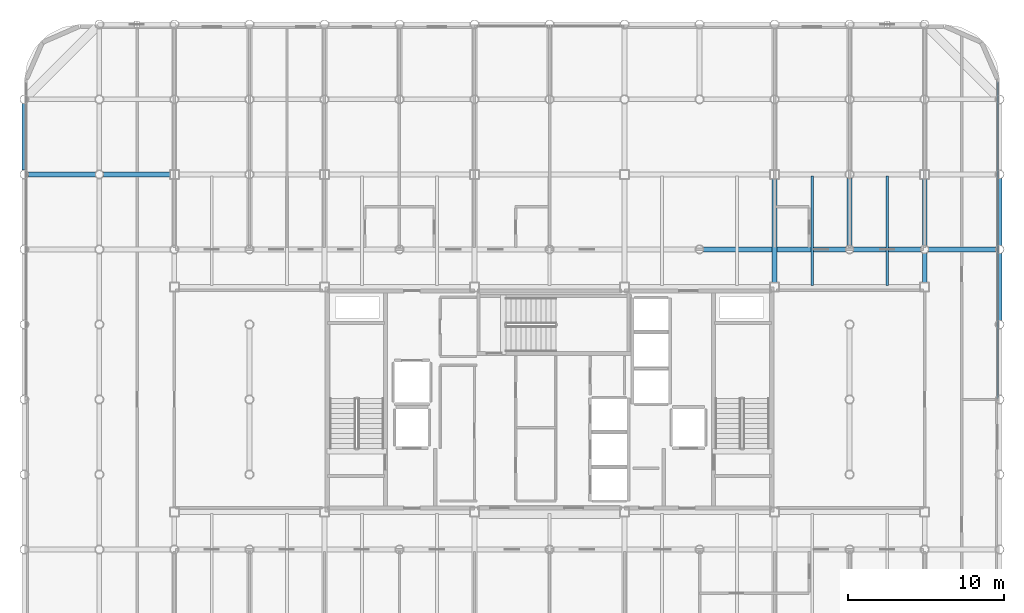
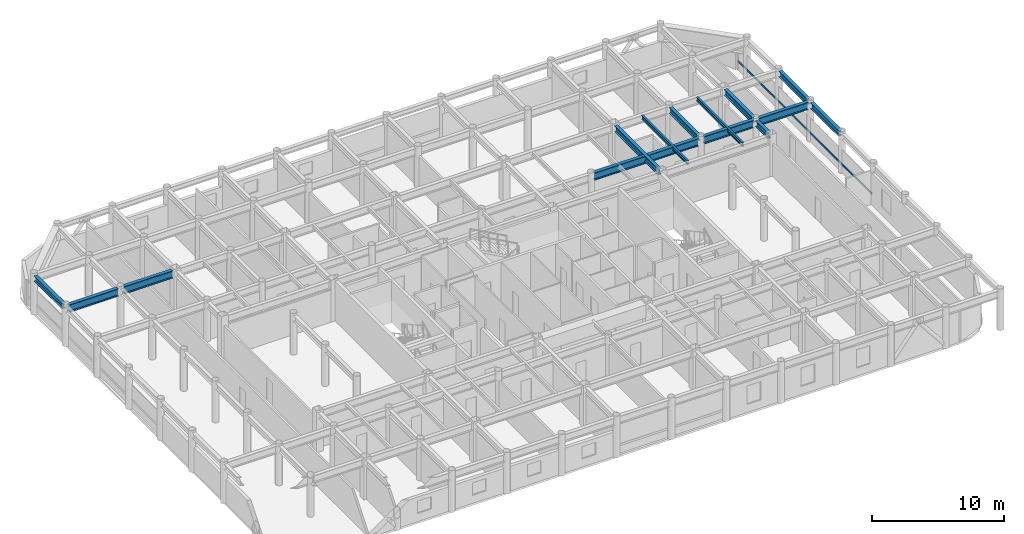
# One storey, part 11 of 22: 14 beams, 1 member, 1 element without a shape of its own.
"""IFC4 building model written with IfcOpenShell, lengths in metres."""

import ifcopenshell
import ifcopenshell.guid

model = None  # the IFC model being written
_history = None  # IfcOwnerHistory: only IFC2X3 demands one
_inside = {}  # id of a spatial element -> (the spatial element, [elements in it])
_under = {}  # id of a project, library or spatial element -> (it, [spatial elements below it])
_declared = {}  # id of a project -> (the project, [libraries it declares])
_typed = {}  # id of a type object -> (the type object, [elements of that type])
_made_of = {}  # id of a material, layer set ... -> (it, [elements and type objects made of it])


def new_model(schema):
    """Start an empty IFC model of exactly this schema.

    Asked for "IFC4X3", IfcOpenShell would pick the latest addendum, in which some entities
    have other attributes; the version numbers below select the first issue.
    IFC2X3 requires an IfcOwnerHistory on every rooted entity: one is made here for all.
    """
    global model, _history
    if schema == "IFC4X3":
        model = ifcopenshell.file(schema_version=(4, 3, 0, 0))
    else:
        model = ifcopenshell.file(schema=schema)
    _inside.clear()
    _under.clear()
    _declared.clear()
    _typed.clear()
    _made_of.clear()
    _history = None
    if model.schema == "IFC2X3":
        org = make("IfcOrganization", Name="unknown")
        user = make(
            "IfcPersonAndOrganization",
            ThePerson=make("IfcPerson", FamilyName="unknown"),
            TheOrganization=org,
        )
        app = make(
            "IfcApplication",
            ApplicationDeveloper=org,
            Version="unknown",
            ApplicationFullName="unknown",
            ApplicationIdentifier="unknown",
        )
        _history = make(
            "IfcOwnerHistory",
            OwningUser=user,
            OwningApplication=app,
            ChangeAction="ADDED",
            CreationDate=0,
        )
    return model


def make(cls, **values):
    """One entity of the class cls with the attributes given. An attribute that is None is left unset."""
    return model.create_entity(
        cls, **{name: value for name, value in values.items() if value is not None}
    )


def rooted(cls, **values):
    """An entity with a GlobalId (a new one), such as an element, a storey or a relation."""
    return make(cls, GlobalId=ifcopenshell.guid.new(), OwnerHistory=_history, **values)


def si_unit(unit_type, name, prefix=None):
    """IfcSIUnit, for example si_unit("LENGTHUNIT", "METRE", prefix="MILLI")."""
    return make("IfcSIUnit", UnitType=unit_type, Prefix=prefix, Name=name)


def assignment(units):
    """IfcUnitAssignment: the units of a project."""
    return None if units is None else make("IfcUnitAssignment", Units=units)


def point(xyz):
    """IfcCartesianPoint."""
    return None if xyz is None else make("IfcCartesianPoint", Coordinates=xyz)


def direction(xyz):
    """IfcDirection."""
    return None if xyz is None else make("IfcDirection", DirectionRatios=xyz)


def frame(location, z_axis=None, x_axis=None):
    """IfcAxis2Placement3D, a coordinate frame: its origin and axes. An axis left out is left unset."""
    return make(
        "IfcAxis2Placement3D",
        Location=point(location),
        Axis=direction(z_axis),
        RefDirection=direction(x_axis),
    )


def frame_2d(location, x_axis=None):
    """IfcAxis2Placement2D, a coordinate frame in the plane: its origin and x axis."""
    return make(
        "IfcAxis2Placement2D", Location=point(location), RefDirection=direction(x_axis)
    )


def origin():
    """The frame at (0, 0, 0) with its axes left unset."""
    return frame((0.0, 0.0, 0.0))


def origin_2d():
    """The frame at (0, 0) in the plane with its x axis left unset."""
    return frame_2d((0.0, 0.0))


def place(relative_to, where):
    """IfcLocalPlacement: puts the frame where relative to a parent placement (None: the world)."""
    return make(
        "IfcLocalPlacement", PlacementRelTo=relative_to, RelativePlacement=where
    )


def context(
    kind, dimensions, precision=None, world=None, true_north=None, identifier=None
):
    """IfcGeometricRepresentationContext, for example the 3D "Model" context."""
    return make(
        "IfcGeometricRepresentationContext",
        ContextIdentifier=identifier,
        ContextType=kind,
        CoordinateSpaceDimension=dimensions,
        Precision=precision,
        WorldCoordinateSystem=world,
        TrueNorth=true_north,
    )


def subcontext(parent, identifier, kind, view, scale=None):
    """IfcGeometricRepresentationSubContext, for example "Body" below "Model"."""
    return make(
        "IfcGeometricRepresentationSubContext",
        ContextIdentifier=identifier,
        ContextType=kind,
        ParentContext=parent,
        TargetScale=scale,
        TargetView=view,
    )


def project(units=None, contexts=None):
    """IfcProject with its units and contexts."""
    return rooted(
        "IfcProject",
        Name="project",
        RepresentationContexts=contexts,
        UnitsInContext=assignment(units),
    )


def spatial(cls, under=None, at=None, **own):
    """A site, building, storey or space (cls), placed at a placement, below another one or the project."""
    s = rooted(cls, ObjectPlacement=at, **own)
    if under is not None:
        _under.setdefault(under.id(), (under, []))[1].append(s)
    return s


def profile(cls, at=None, kind="AREA", **sizes):
    """A parametric profile (cls). Its sizes go by their IFC names, for example OverallWidth=200.0."""
    return make(cls, ProfileType=kind, Position=at, **sizes)


def hollow_rectangle(**sizes):
    """IfcRectangleHollowProfileDef."""
    return profile("IfcRectangleHollowProfileDef", **sizes)


def i_section(**sizes):
    """IfcIShapeProfileDef."""
    return profile("IfcIShapeProfileDef", **sizes)


def extrude(swept, where, along, depth):
    """IfcExtrudedAreaSolid: the profile swept, set in the frame where, extruded along a direction by depth."""
    return make(
        "IfcExtrudedAreaSolid",
        SweptArea=swept,
        Position=where,
        ExtrudedDirection=direction(along),
        Depth=depth,
    )


def shape(context_of_items, identifier, shape_type, items):
    """IfcShapeRepresentation: the items that make up one representation, for example the "Body"."""
    return make(
        "IfcShapeRepresentation",
        ContextOfItems=context_of_items,
        RepresentationIdentifier=identifier,
        RepresentationType=shape_type,
        Items=items,
    )


def material(Name=None, Category=None):
    """IfcMaterial."""
    return make("IfcMaterial", Name=Name, Category=Category)


def layer(
    of_material, thickness, ventilated=None, Name=None, Category=None, Priority=None
):
    """IfcMaterialLayer: one layer of a wall or slab, of a material (None: an air gap)."""
    return make(
        "IfcMaterialLayer",
        Material=of_material,
        LayerThickness=thickness,
        IsVentilated=ventilated,
        Name=Name,
        Category=Category,
        Priority=Priority,
    )


def layer_set(layers, Name=None):
    """IfcMaterialLayerSet."""
    return make("IfcMaterialLayerSet", MaterialLayers=layers, LayerSetName=Name)


def material_profile(
    of_material, cross_section, Name=None, Category=None, Priority=None
):
    """IfcMaterialProfile: a cross section and its material."""
    return make(
        "IfcMaterialProfile",
        Name=Name,
        Material=of_material,
        Profile=cross_section,
        Priority=Priority,
        Category=Category,
    )


def profile_set(profiles, Name=None, composite=None):
    """IfcMaterialProfileSet."""
    return make(
        "IfcMaterialProfileSet",
        Name=Name,
        MaterialProfiles=profiles,
        CompositeProfile=composite,
    )


def made_of(thing, what):
    """Note that an element or type object is made of a material, layer set ...; save() writes the relation."""
    if what is not None:
        _made_of.setdefault(what.id(), (what, []))[1].append(thing)
    return thing


def type_object(cls, material=None, **own):
    """A type object (cls), such as IfcWallType, which elements share."""
    return made_of(rooted(cls, **own), material)


def element(
    cls,
    number,
    at=None,
    inside=None,
    cuts=None,
    type_object=None,
    material=None,
    context=None,
    identifier="Body",
    shape_type=None,
    held_by="IfcProductDefinitionShape",
    body=None,
    shapes=None,
    **own,
):
    """One element of the class cls, such as IfcWall. Its Tag is "e" and its number.

    at: its placement. inside: the storey or other place that contains it. cuts: it is an
    opening in that element (IfcRelVoidsElement). A single representation is given by context,
    identifier, shape_type and body (its items); several are given by shapes. held_by: the class
    of the entity that holds the representations. save() writes the other relations.
    """
    e = rooted(cls, Tag="e%d" % number, ObjectPlacement=at, **own)
    if body is not None:
        shapes = [shape(context, identifier, shape_type, body)]
    if shapes is not None:
        e.Representation = make(held_by, Representations=shapes)
    if inside is not None:
        _inside.setdefault(inside.id(), (inside, []))[1].append(e)
    if cuts is not None:
        rooted(
            "IfcRelVoidsElement", RelatingBuildingElement=cuts, RelatedOpeningElement=e
        )
    if type_object is not None:
        _typed.setdefault(type_object.id(), (type_object, []))[1].append(e)
    return made_of(e, material)


def aggregate(whole, parts):
    """IfcRelAggregates: a whole, such as a stair, and the parts it consists of."""
    return rooted("IfcRelAggregates", RelatingObject=whole, RelatedObjects=parts)


def save(model, path):
    """Write the relations noted so far, then the file.

    IfcRelAggregates (storeys below a building ...), IfcRelContainedInSpatialStructure (elements
    in a storey), IfcRelDefinesByType, IfcRelAssociatesMaterial and IfcRelDeclares: one each for
    every whole, place, type object, material and project.
    """
    for whole, parts in _under.values():
        aggregate(whole, parts)
    for where, things in _inside.values():
        rooted(
            "IfcRelContainedInSpatialStructure",
            RelatedElements=things,
            RelatingStructure=where,
        )
    for kind, things in _typed.values():
        rooted("IfcRelDefinesByType", RelatedObjects=things, RelatingType=kind)
    for what, things in _made_of.values():
        rooted("IfcRelAssociatesMaterial", RelatedObjects=things, RelatingMaterial=what)
    for by, libraries in _declared.values():
        rooted("IfcRelDeclares", RelatingContext=by, RelatedDefinitions=libraries)
    model.write(path)


model = new_model("IFC4")

# Units and contexts
model_context = context("Model", 3, precision=1e-05, world=origin(), true_north=direction((0.0, 1.0)))
body_context = subcontext(model_context, "Body", "Model", "MODEL_VIEW")
ifc_project = project(units=[si_unit("LENGTHUNIT", "METRE"), si_unit("AREAUNIT", "SQUARE_METRE"), si_unit("VOLUMEUNIT", "CUBIC_METRE"), si_unit("PLANEANGLEUNIT", "RADIAN"), si_unit("MASSUNIT", "GRAM", prefix="KILO")], contexts=[model_context])

# Site, building, storey
site_placement = place(None, origin())
site = spatial("IfcSite", under=ifc_project, at=site_placement, CompositionType="ELEMENT")
building_placement = place(site_placement, origin())
building = spatial("IfcBuilding", under=site, at=building_placement, Name="Kallvorn Hotel Tower", CompositionType="ELEMENT")
storey_placement = place(building_placement, frame((0.0, 0.0, 256.949951171875)))
storey = spatial("IfcBuildingStorey", under=building, at=storey_placement, Name="L64", CompositionType="ELEMENT", Elevation=256.949951171875)

# Beams
ifc_material_1 = material(Name="Structural steel S355JR", Category="steel")
ifc_material_profile_1 = material_profile(ifc_material_1, i_section(OverallWidth=0.300048828125, OverallDepth=0.5, WebThickness=0.014404296875, FlangeThickness=0.028076171875, at=origin_2d()), Name="HE 500 B")
ifc_profile_set_1 = profile_set([ifc_material_profile_1], Name="Structural steel S355JR")
beam_type_1 = type_object("IfcBeamType", Name="BM_HE500B", PredefinedType="SPANDREL", material=ifc_profile_set_1)
beam_1_placement = place(storey_placement, frame((-33.60009765625, 14.66943359375, 3.420166015625), z_axis=(0.0, 1.0, 0.0), x_axis=(-1.0, 0.0, 0.0)))
element("IfcBeam", 1, at=beam_1_placement, inside=storey, type_object=beam_type_1, Name="L65 Perimeter Spandrel 180", PredefinedType="SPANDREL", context=body_context, shape_type="SweptSolid", body=[
    extrude(i_section(OverallWidth=0.300048828125, OverallDepth=0.5, WebThickness=0.014404296875, FlangeThickness=0.028076171875, at=origin_2d()), origin(), (0.0, 0.0, 1.0), 4.260986328125),
])
ifc_material_2 = material(Name="Structural steel S355JR", Category="steel")
ifc_material_profile_2 = material_profile(ifc_material_2, i_section(OverallWidth=0.300048828125, OverallDepth=0.550048828125, WebThickness=0.014892578125, FlangeThickness=0.029052734375, at=origin_2d()), Name="HE 550 B")
ifc_profile_set_2 = profile_set([ifc_material_profile_2], Name="Structural steel S355JR")
beam_type_2 = type_object("IfcBeamType", Name="BM_HE550B", PredefinedType="SPANDREL", material=ifc_profile_set_2)
beam_2_placement = place(storey_placement, frame((14.39990234375, 7.47509765625, 3.39501953125), z_axis=(0.0, 1.0, 0.0), x_axis=(-1.0, 0.0, 0.0)))
element("IfcBeam", 2, at=beam_2_placement, inside=storey, type_object=beam_type_2, Name="L65 Primary Y-Girder 124", PredefinedType="SPANDREL", context=body_context, shape_type="SweptSolid", body=[
    extrude(i_section(OverallWidth=0.300048828125, OverallDepth=0.550048828125, WebThickness=0.014892578125, FlangeThickness=0.029052734375, at=origin_2d()), origin(), (0.0, 0.0, 1.0), 6.64990234375),
])
beam_3_placement = place(storey_placement, frame((19.199951171875, 9.8544921875, 3.39501953125), z_axis=(0.0, 1.0, 0.0), x_axis=(-1.0, 0.0, 0.0)))
element("IfcBeam", 3, at=beam_3_placement, inside=storey, type_object=beam_type_2, Name="L65 Primary Y-Girder 133", PredefinedType="SPANDREL", context=body_context, shape_type="SweptSolid", body=[
    extrude(i_section(OverallWidth=0.300048828125, OverallDepth=0.550048828125, WebThickness=0.014892578125, FlangeThickness=0.029052734375, at=origin_2d()), origin(), (0.0, 0.0, 1.0), 4.291015625),
])
beam_4_placement = place(storey_placement, frame((24.0, 7.47509765625, 3.39501953125), z_axis=(0.0, 1.0, 0.0), x_axis=(-1.0, 0.0, 0.0)))
element("IfcBeam", 4, at=beam_4_placement, inside=storey, type_object=beam_type_2, Name="L65 Primary Y-Girder 139", PredefinedType="SPANDREL", context=body_context, shape_type="SweptSolid", body=[
    extrude(i_section(OverallWidth=0.300048828125, OverallDepth=0.550048828125, WebThickness=0.014892578125, FlangeThickness=0.029052734375, at=origin_2d()), origin(), (0.0, 0.0, 1.0), 1.870361328125),
])
beam_5_placement = place(storey_placement, frame((24.0, 9.8544921875, 3.39501953125), z_axis=(0.0, 1.0, 0.0), x_axis=(-1.0, 0.0, 0.0)))
element("IfcBeam", 5, at=beam_5_placement, inside=storey, type_object=beam_type_2, Name="L65 Primary Y-Girder 140", PredefinedType="SPANDREL", context=body_context, shape_type="SweptSolid", body=[
    extrude(i_section(OverallWidth=0.300048828125, OverallDepth=0.550048828125, WebThickness=0.014892578125, FlangeThickness=0.029052734375, at=origin_2d()), origin(), (0.0, 0.0, 1.0), 4.2705078125),
])
for number, where, z_axis, x_axis, name in (
    (6, (28.800048828125, 5.054443359375, 3.39501953125), (0.0, 1.0, 0.0), (-1.0, 0.0, 0.0), "L65 Primary Y-Girder 148"),
    (7, (28.800048828125, 9.8544921875, 3.39501953125), (0.0, 1.0, 0.0), (-1.0, 0.0, 0.0), "L65 Primary Y-Girder 149"),
):
    element("IfcBeam", number, at=place(storey_placement, frame(where, z_axis=z_axis, x_axis=x_axis)), inside=storey, type_object=beam_type_2, Name=name, PredefinedType="SPANDREL", context=body_context, shape_type="SweptSolid", body=[
        extrude(i_section(OverallWidth=0.300048828125, OverallDepth=0.550048828125, WebThickness=0.014892578125, FlangeThickness=0.029052734375, at=origin_2d()), origin(), (0.0, 0.0, 1.0), 4.291015625),
    ])
ifc_material_3 = material(Name="Structural steel S355JR", Category="steel")
ifc_material_profile_3 = material_profile(ifc_material_3, i_section(OverallWidth=0.300048828125, OverallDepth=0.699951171875, WebThickness=0.01708984375, FlangeThickness=0.031982421875, at=origin_2d()), Name="HE 700 B")
ifc_profile_set_3 = profile_set([ifc_material_profile_3], Name="Structural steel S355JR")
beam_type_3 = type_object("IfcBeamType", Name="BM_HE700B", PredefinedType="BEAM", material=ifc_profile_set_3)
beam_6_placement = place(storey_placement, frame((9.8544921875, 9.60009765625, 3.320068359375), z_axis=(1.0, 0.0, 0.0), x_axis=(0.0, 1.0, 0.0)))
element("IfcBeam", 8, at=beam_6_placement, inside=storey, type_object=beam_type_3, Name="L65 Primary X-Girder 47", PredefinedType="BEAM", context=body_context, shape_type="SweptSolid", body=[
    extrude(i_section(OverallWidth=0.300048828125, OverallDepth=0.699951171875, WebThickness=0.01708984375, FlangeThickness=0.031982421875, at=origin_2d()), origin(), (0.0, 0.0, 1.0), 9.091064453125),
])
for number, where, z_axis, x_axis, name in (
    (9, (19.45458984375, 9.60009765625, 3.320068359375), (1.0, 0.0, 0.0), (0.0, 1.0, 0.0), "L65 Primary X-Girder 48"),
    (10, (24.25439453125, 9.60009765625, 3.320068359375), (1.0, 0.0, 0.0), (0.0, 1.0, 0.0), "L65 Primary X-Girder 49"),
    (11, (-33.345458984375, 14.39990234375, 3.320068359375), (1.0, 0.0, 0.0), (0.0, 1.0, 0.0), "L65 Primary X-Girder 50"),
):
    element("IfcBeam", number, at=place(storey_placement, frame(where, z_axis=z_axis, x_axis=x_axis)), inside=storey, type_object=beam_type_3, Name=name, PredefinedType="BEAM", context=body_context, shape_type="SweptSolid", body=[
        extrude(i_section(OverallWidth=0.300048828125, OverallDepth=0.699951171875, WebThickness=0.01708984375, FlangeThickness=0.031982421875, at=origin_2d()), origin(), (0.0, 0.0, 1.0), 4.291015625),
    ])
beam_7_placement = place(storey_placement, frame((-28.54541015625, 14.39990234375, 3.320068359375), z_axis=(1.0, 0.0, 0.0), x_axis=(0.0, 1.0, 0.0)))
element("IfcBeam", 12, at=beam_7_placement, inside=storey, type_object=beam_type_3, Name="L65 Primary X-Girder 51", PredefinedType="BEAM", context=body_context, shape_type="SweptSolid", body=[
    extrude(i_section(OverallWidth=0.300048828125, OverallDepth=0.699951171875, WebThickness=0.01708984375, FlangeThickness=0.031982421875, at=origin_2d()), origin(), (0.0, 0.0, 1.0), 4.2705078125),
])
ifc_material_4 = material(Name="Structural steel S355JR", Category="steel")
ifc_material_profile_4 = material_profile(ifc_material_4, i_section(OverallWidth=0.169921875, OverallDepth=0.360107421875, WebThickness=0.008056640625, FlangeThickness=0.0126953125, at=origin_2d()), Name="IPE 360")
ifc_profile_set_4 = profile_set([ifc_material_profile_4], Name="Structural steel S355JR")
beam_type_4 = type_object("IfcBeamType", Name="BM_IPE360", PredefinedType="JOIST", material=ifc_profile_set_4)
for number, where, z_axis, x_axis, name in (
    (13, (16.800048828125, 7.300048828125, 3.489990234375), (0.0, 1.0, 0.0), (-1.0, 0.0, 0.0), "L65 Secondary Composite Joist 207"),
    (14, (21.60009765625, 7.300048828125, 3.489990234375), (0.0, 1.0, 0.0), (-1.0, 0.0, 0.0), "L65 Secondary Composite Joist 209"),
):
    element("IfcBeam", number, at=place(storey_placement, frame(where, z_axis=z_axis, x_axis=x_axis)), inside=storey, type_object=beam_type_4, Name=name, PredefinedType="JOIST", context=body_context, shape_type="SweptSolid", body=[
        extrude(i_section(OverallWidth=0.169921875, OverallDepth=0.360107421875, WebThickness=0.008056640625, FlangeThickness=0.0126953125, at=origin_2d()), origin(), (0.0, 0.0, 1.0), 7.0),
    ])

# Curtain wall, member
ifc_material_5 = material(Name="Thermally broken black-anodised aluminium AA 6063-T6", Category="aluminium")
ifc_layer = layer(ifc_material_5, 0.22998046875)
ifc_layer_set = layer_set([ifc_layer], Name="CW_SYS_5_HOTEL_HIGH")
curtain_wall_type = type_object("IfcCurtainWallType", Name="CW_SYS_5_HOTEL_HIGH", PredefinedType="USERDEFINED", material=ifc_layer_set)
curtain_wall_placement = place(storey_placement, origin())
curtain_wall = element("IfcCurtainWall", 15, at=curtain_wall_placement, inside=storey, type_object=curtain_wall_type, Name="L64 Dark-Glass Curtain Wall CW-L64-EN", ObjectType="UNITISED CURTAIN WALL", PredefinedType="USERDEFINED")
ifc_material_6 = material(Name="Thermally broken black-anodised aluminium AA 6063-T6", Category="aluminium")
ifc_material_profile_5 = material_profile(ifc_material_6, hollow_rectangle(XDim=0.070068359375, YDim=0.179931640625, WallThickness=0.00390625, at=origin_2d()), Name="TRN 180x70")
ifc_profile_set_5 = profile_set([ifc_material_profile_5], Name="Thermally broken black-anodised aluminium AA 6063-T6")
member_type = type_object("IfcMemberType", Name="CW_TRANSOM_180x70", PredefinedType="USERDEFINED", material=ifc_profile_set_5)
member_placement = place(storey_placement, frame((28.679931640625, 0.06005859375, 0.85009765625), z_axis=(0.0, 1.0, 0.0), x_axis=(-1.0, 0.0, 0.0)))
member = element("IfcMember", 16, at=member_placement, type_object=member_type, Name="CW-L64-EN Transom 00M", ObjectType="TRANSOM", PredefinedType="USERDEFINED", context=body_context, shape_type="SweptSolid", body=[
    extrude(hollow_rectangle(XDim=0.070068359375, YDim=0.179931640625, WallThickness=0.00390625, at=origin_2d()), origin(), (0.0, 0.0, 1.0), 20.300048828125),
])
aggregate(curtain_wall, [member])

save(model, "model.ifc")
